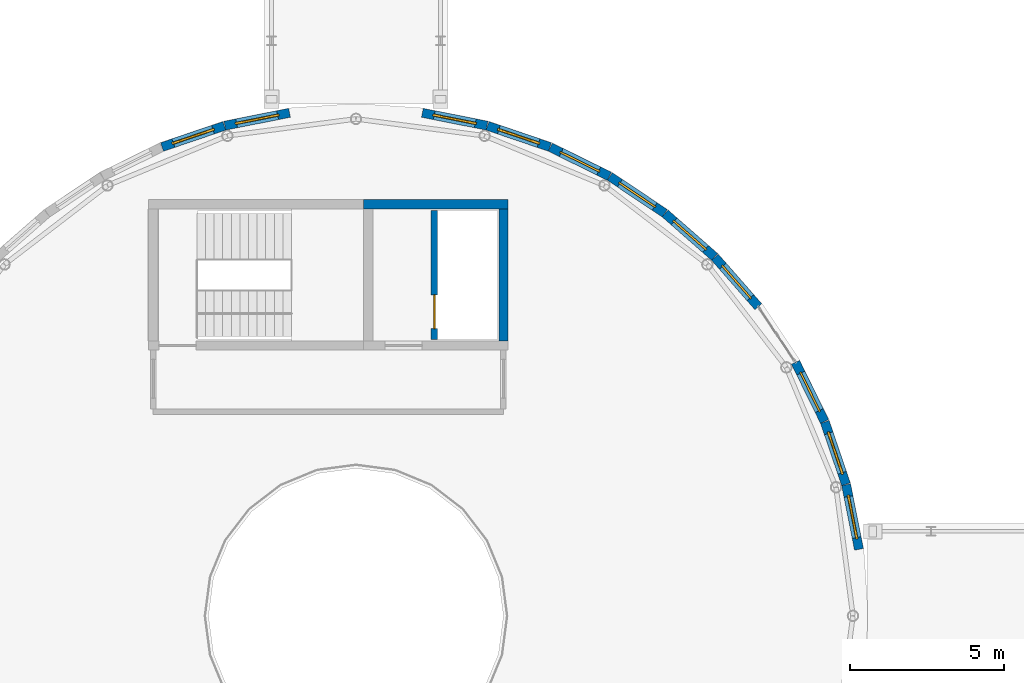
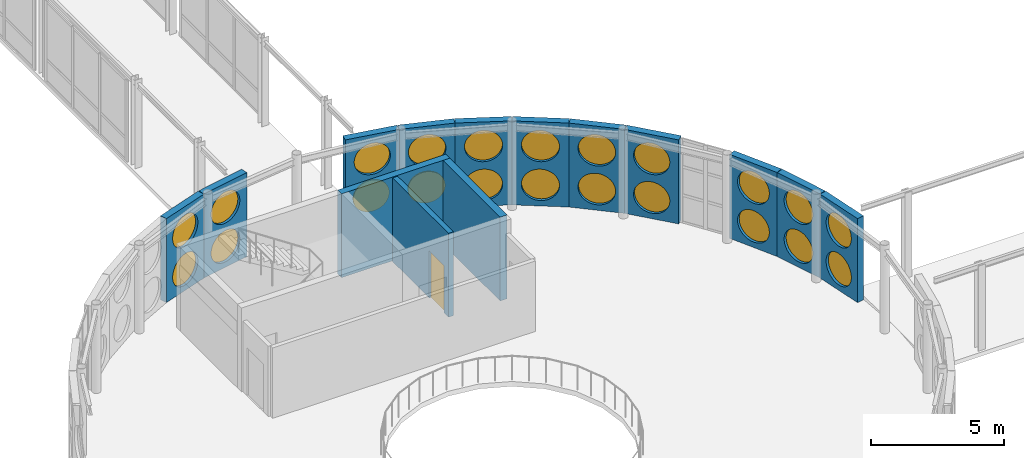
# One storey, part 136 of 165: 22 windows, 14 walls, 1 door, 23 openings.
"""IFC4 building model written with IfcOpenShell, lengths in metres."""

from ifc_helpers import new_model, si_unit, direction, frame, frame_2d, origin, place, context, subcontext, project, spatial, rectangle, circle, extrude, material, layer, layer_set, type_object, element, fill, save


model = new_model("IFC4")

# Units and contexts
model_context = context("Model", 3, precision=1e-05, world=origin(), true_north=direction((0.0, 1.0)))
body_context = subcontext(model_context, "Body", "Model", "MODEL_VIEW")
ifc_project = project(units=[si_unit("LENGTHUNIT", "METRE"), si_unit("AREAUNIT", "SQUARE_METRE"), si_unit("VOLUMEUNIT", "CUBIC_METRE"), si_unit("PLANEANGLEUNIT", "RADIAN"), si_unit("MASSUNIT", "GRAM", prefix="KILO")], contexts=[model_context])

# Site, building, storey
site_placement = place(None, origin())
site = spatial("IfcSite", under=ifc_project, at=site_placement, CompositionType="ELEMENT")
building_placement = place(site_placement, origin())
building = spatial("IfcBuilding", under=site, at=building_placement, Name="Montecoro Central Library", CompositionType="ELEMENT")
storey_placement = place(building_placement, frame((0.0, 0.0, 5.10009765625)))
storey = spatial("IfcBuildingStorey", under=building, at=storey_placement, Name="L01", CompositionType="ELEMENT", Elevation=5.10009765625)

# Wall, openings, windows
ifc_material_1 = material(Name="Travertine Roman Stone and concrete C35/45", Category="masonry")
ifc_layer_1 = layer(ifc_material_1, 0.294921875)
ifc_layer_set_1 = layer_set([ifc_layer_1], Name="Travertine Roman Stone and concrete C35/45")
wall_type_1 = type_object("IfcWallType", Name="EW-DRM-295", PredefinedType="SOLIDWALL", material=ifc_layer_set_1)
wall_1_placement = place(storey_placement, frame((107.97705078125, 37.56396484375, 0.0), z_axis=(0.0, 0.0, 1.0), x_axis=(-0.194846526766, 0.980833742796, 0.0)))
wall_1 = element("IfcWall", 1, at=wall_1_placement, inside=storey, type_object=wall_type_1, Name="V1-L01-EW-02", PredefinedType="SOLIDWALL", context=body_context, shape_type="SweptSolid", body=[
    extrude(rectangle(XDim=2.14501953125, YDim=0.294921875, at=frame_2d((1.072509765625, 0.0))), origin(), (0.0, 0.0, 1.0), 3.85498046875),
])
opening_1_placement = place(wall_1_placement, frame((0.35302734375, 0.0, 0.25)))
opening_1 = element("IfcOpeningElement", 2, at=opening_1_placement, cuts=wall_1, Name="Opening WP-02", PredefinedType="OPENING", context=body_context, shape_type="SweptSolid", body=[
    extrude(circle(Radius=0.719970703125, at=frame_2d((0.719970703125, 0.719970703125))), frame((0.0, 0.157470703125, 0.0), z_axis=(0.0, -1.0, 0.0), x_axis=(1.0, 0.0, 0.0)), (0.0, 0.0, 1.0), 0.31494140625),
])
opening_2_placement = place(wall_1_placement, frame((0.35302734375, 0.0, 2.030029296875)))
opening_2 = element("IfcOpeningElement", 3, at=opening_2_placement, cuts=wall_1, Name="Opening WP-01", PredefinedType="OPENING", context=body_context, shape_type="SweptSolid", body=[
    extrude(circle(Radius=0.719970703125, at=frame_2d((0.719970703125, 0.719970703125))), frame((0.0, 0.157470703125, 0.0), z_axis=(0.0, -1.0, 0.0), x_axis=(1.0, 0.0, 0.0)), (0.0, 0.0, 1.0), 0.31494140625),
])
ifc_material_2 = material(Name="Clear sky-blue low-E laminated glazing", Category="glass")
window_type_1 = type_object("IfcWindowType", Name="WN-POR-CLR-144", PartitioningType="SINGLE_PANEL", PredefinedType="WINDOW", material=ifc_material_2)
window_1_placement = place(opening_2_placement, origin())
window_1 = element("IfcWindow", 4, at=window_1_placement, inside=storey, type_object=window_type_1, Name="V1-L01-WP-02-2", OverallHeight=1.43994140625, OverallWidth=1.43994140625, PartitioningType="SINGLE_PANEL", PredefinedType="WINDOW", context=body_context, shape_type="SweptSolid", body=[
    extrude(circle(Radius=0.719970703125, at=frame_2d((0.719970703125, 0.719970703125))), frame((0.0, 0.030029296875, 0.0), z_axis=(0.0, -1.0, 0.0), x_axis=(1.0, 0.0, 0.0)), (0.0, 0.0, 1.0), 0.06005859375),
])
fill(opening_2, window_1)
ifc_material_3 = material(Name="Frosted pearl-white ceramic-fritted glazing", Category="glass")
window_type_2 = type_object("IfcWindowType", Name="WN-POR-FRT-144", PartitioningType="SINGLE_PANEL", PredefinedType="WINDOW", material=ifc_material_3)
window_2_placement = place(opening_1_placement, origin())
window_2 = element("IfcWindow", 5, at=window_2_placement, inside=storey, type_object=window_type_2, Name="V1-L01-WP-02-1", OverallHeight=1.43994140625, OverallWidth=1.43994140625, PartitioningType="SINGLE_PANEL", PredefinedType="WINDOW", context=body_context, shape_type="SweptSolid", body=[
    extrude(circle(Radius=0.719970703125, at=frame_2d((0.719970703125, 0.719970703125))), frame((0.0, 0.030029296875, 0.0), z_axis=(0.0, -1.0, 0.0), x_axis=(1.0, 0.0, 0.0)), (0.0, 0.0, 1.0), 0.06005859375),
])
fill(opening_1, window_2)

wall_2_placement = place(storey_placement, frame((107.553955078125, 39.68408203125, 0.0), z_axis=(0.0, 0.0, 1.0), x_axis=(-0.321382058047, 0.946949614692, 0.0)))
wall_2 = element("IfcWall", 6, at=wall_2_placement, inside=storey, type_object=wall_type_1, Name="V1-L01-EW-03", PredefinedType="SOLIDWALL", context=body_context, shape_type="SweptSolid", body=[
    extrude(rectangle(XDim=2.143798828125, YDim=0.294921875, at=frame_2d((1.07177734375, 0.0))), origin(), (0.0, 0.0, 1.0), 3.85498046875),
])
opening_3_placement = place(wall_2_placement, frame((0.35205078125, 0.0, 0.25)))
opening_3 = element("IfcOpeningElement", 7, at=opening_3_placement, cuts=wall_2, Name="Opening WP-01", PredefinedType="OPENING", context=body_context, shape_type="SweptSolid", body=[
    extrude(circle(Radius=0.719970703125, at=frame_2d((0.719970703125, 0.719970703125))), frame((0.0, 0.157470703125, 0.0), z_axis=(0.0, -1.0, 0.0), x_axis=(1.0, 0.0, 0.0)), (0.0, 0.0, 1.0), 0.31494140625),
])
opening_4_placement = place(wall_2_placement, frame((0.35205078125, 0.0, 2.030029296875)))
opening_4 = element("IfcOpeningElement", 8, at=opening_4_placement, cuts=wall_2, Name="Opening WP-02", PredefinedType="OPENING", context=body_context, shape_type="SweptSolid", body=[
    extrude(circle(Radius=0.719970703125, at=frame_2d((0.719970703125, 0.719970703125))), frame((0.0, 0.157470703125, 0.0), z_axis=(0.0, -1.0, 0.0), x_axis=(1.0, 0.0, 0.0)), (0.0, 0.0, 1.0), 0.31494140625),
])
window_3_placement = place(opening_3_placement, origin())
window_3 = element("IfcWindow", 9, at=window_3_placement, inside=storey, type_object=window_type_1, Name="V1-L01-WP-03-1", OverallHeight=1.43994140625, OverallWidth=1.43994140625, PartitioningType="SINGLE_PANEL", PredefinedType="WINDOW", context=body_context, shape_type="SweptSolid", body=[
    extrude(circle(Radius=0.719970703125, at=frame_2d((0.719970703125, 0.719970703125))), frame((0.0, 0.030029296875, 0.0), z_axis=(0.0, -1.0, 0.0), x_axis=(1.0, 0.0, 0.0)), (0.0, 0.0, 1.0), 0.06005859375),
])
fill(opening_3, window_3)
window_4_placement = place(opening_4_placement, origin())
window_4 = element("IfcWindow", 10, at=window_4_placement, inside=storey, type_object=window_type_2, Name="V1-L01-WP-03-2", OverallHeight=1.43994140625, OverallWidth=1.43994140625, PartitioningType="SINGLE_PANEL", PredefinedType="WINDOW", context=body_context, shape_type="SweptSolid", body=[
    extrude(circle(Radius=0.719970703125, at=frame_2d((0.719970703125, 0.719970703125))), frame((0.0, 0.030029296875, 0.0), z_axis=(0.0, -1.0, 0.0), x_axis=(1.0, 0.0, 0.0)), (0.0, 0.0, 1.0), 0.06005859375),
])
fill(opening_4, window_4)

wall_3_placement = place(storey_placement, frame((106.85791015625, 41.72900390625, 0.0), z_axis=(0.0, 0.0, 1.0), x_axis=(-0.441603666205, 0.897210232885, 0.0)))
wall_3 = element("IfcWall", 11, at=wall_3_placement, inside=storey, type_object=wall_type_1, Name="V1-L01-EW-04", PredefinedType="SOLIDWALL", context=body_context, shape_type="SweptSolid", body=[
    extrude(rectangle(XDim=2.14453125, YDim=0.294921875, at=frame_2d((1.072265625, 0.0))), origin(), (0.0, 0.0, 1.0), 3.85498046875),
])
opening_5_placement = place(wall_3_placement, frame((0.35205078125, 0.0, 0.25)))
opening_5 = element("IfcOpeningElement", 12, at=opening_5_placement, cuts=wall_3, Name="Opening WP-02", PredefinedType="OPENING", context=body_context, shape_type="SweptSolid", body=[
    extrude(circle(Radius=0.719970703125, at=frame_2d((0.719970703125, 0.719970703125))), frame((0.0, 0.157470703125, 0.0), z_axis=(0.0, -1.0, 0.0), x_axis=(1.0, 0.0, 0.0)), (0.0, 0.0, 1.0), 0.31494140625),
])
opening_6_placement = place(wall_3_placement, frame((0.35205078125, 0.0, 2.030029296875)))
opening_6 = element("IfcOpeningElement", 13, at=opening_6_placement, cuts=wall_3, Name="Opening WP-01", PredefinedType="OPENING", context=body_context, shape_type="SweptSolid", body=[
    extrude(circle(Radius=0.719970703125, at=frame_2d((0.719970703125, 0.719970703125))), frame((0.0, 0.157470703125, 0.0), z_axis=(0.0, -1.0, 0.0), x_axis=(1.0, 0.0, 0.0)), (0.0, 0.0, 1.0), 0.31494140625),
])
window_5_placement = place(opening_6_placement, origin())
window_5 = element("IfcWindow", 14, at=window_5_placement, inside=storey, type_object=window_type_1, Name="V1-L01-WP-04-2", OverallHeight=1.43994140625, OverallWidth=1.43994140625, PartitioningType="SINGLE_PANEL", PredefinedType="WINDOW", context=body_context, shape_type="SweptSolid", body=[
    extrude(circle(Radius=0.719970703125, at=frame_2d((0.719970703125, 0.719970703125))), frame((0.0, 0.030029296875, 0.0), z_axis=(0.0, -1.0, 0.0), x_axis=(1.0, 0.0, 0.0)), (0.0, 0.0, 1.0), 0.06005859375),
])
fill(opening_6, window_5)
window_6_placement = place(opening_5_placement, origin())
window_6 = element("IfcWindow", 15, at=window_6_placement, inside=storey, type_object=window_type_2, Name="V1-L01-WP-04-1", OverallHeight=1.43994140625, OverallWidth=1.43994140625, PartitioningType="SINGLE_PANEL", PredefinedType="WINDOW", context=body_context, shape_type="SweptSolid", body=[
    extrude(circle(Radius=0.719970703125, at=frame_2d((0.719970703125, 0.719970703125))), frame((0.0, 0.030029296875, 0.0), z_axis=(0.0, -1.0, 0.0), x_axis=(1.0, 0.0, 0.0)), (0.0, 0.0, 1.0), 0.06005859375),
])
fill(opening_5, window_6)

wall_4_placement = place(storey_placement, frame((104.700927734375, 45.462890625, 0.0), z_axis=(0.0, 0.0, 1.0), x_axis=(-0.659688303725, 0.751539314958, 0.0)))
wall_4 = element("IfcWall", 16, at=wall_4_placement, inside=storey, type_object=wall_type_1, Name="V1-L01-EW-06", PredefinedType="SOLIDWALL", context=body_context, shape_type="SweptSolid", body=[
    extrude(rectangle(XDim=2.14501953125, YDim=0.294921875, at=frame_2d((1.072509765625, 0.0))), origin(), (0.0, 0.0, 1.0), 3.85498046875),
])
opening_7_placement = place(wall_4_placement, frame((0.35205078125, 0.0, 0.25)))
opening_7 = element("IfcOpeningElement", 17, at=opening_7_placement, cuts=wall_4, Name="Opening WP-02", PredefinedType="OPENING", context=body_context, shape_type="SweptSolid", body=[
    extrude(circle(Radius=0.719970703125, at=frame_2d((0.719970703125, 0.719970703125))), frame((0.0, 0.157470703125, 0.0), z_axis=(0.0, -1.0, 0.0), x_axis=(1.0, 0.0, 0.0)), (0.0, 0.0, 1.0), 0.31494140625),
])
opening_8_placement = place(wall_4_placement, frame((0.35205078125, 0.0, 2.030029296875)))
opening_8 = element("IfcOpeningElement", 18, at=opening_8_placement, cuts=wall_4, Name="Opening WP-01", PredefinedType="OPENING", context=body_context, shape_type="SweptSolid", body=[
    extrude(circle(Radius=0.719970703125, at=frame_2d((0.719970703125, 0.719970703125))), frame((0.0, 0.157470703125, 0.0), z_axis=(0.0, -1.0, 0.0), x_axis=(1.0, 0.0, 0.0)), (0.0, 0.0, 1.0), 0.31494140625),
])
window_7_placement = place(opening_8_placement, origin())
window_7 = element("IfcWindow", 19, at=window_7_placement, inside=storey, type_object=window_type_1, Name="V1-L01-WP-06-2", OverallHeight=1.43994140625, OverallWidth=1.43994140625, PartitioningType="SINGLE_PANEL", PredefinedType="WINDOW", context=body_context, shape_type="SweptSolid", body=[
    extrude(circle(Radius=0.719970703125, at=frame_2d((0.719970703125, 0.719970703125))), frame((0.0, 0.030029296875, 0.0), z_axis=(0.0, -1.0, 0.0), x_axis=(1.0, 0.0, 0.0)), (0.0, 0.0, 1.0), 0.06005859375),
])
fill(opening_8, window_7)
window_8_placement = place(opening_7_placement, origin())
window_8 = element("IfcWindow", 20, at=window_8_placement, inside=storey, type_object=window_type_2, Name="V1-L01-WP-06-1", OverallHeight=1.43994140625, OverallWidth=1.43994140625, PartitioningType="SINGLE_PANEL", PredefinedType="WINDOW", context=body_context, shape_type="SweptSolid", body=[
    extrude(circle(Radius=0.719970703125, at=frame_2d((0.719970703125, 0.719970703125))), frame((0.0, 0.030029296875, 0.0), z_axis=(0.0, -1.0, 0.0), x_axis=(1.0, 0.0, 0.0)), (0.0, 0.0, 1.0), 0.06005859375),
])
fill(opening_7, window_8)

wall_5_placement = place(storey_placement, frame((103.27490234375, 47.0859375, 0.0), z_axis=(0.0, 0.0, 1.0), x_axis=(-0.751489776362, 0.659744735503, 0.0)))
wall_5 = element("IfcWall", 21, at=wall_5_placement, inside=storey, type_object=wall_type_1, Name="V1-L01-EW-07", PredefinedType="SOLIDWALL", context=body_context, shape_type="SweptSolid", body=[
    extrude(rectangle(XDim=2.144775390625, YDim=0.294921875, at=frame_2d((1.072265625, 0.0))), origin(), (0.0, 0.0, 1.0), 3.85498046875),
])
opening_9_placement = place(wall_5_placement, frame((0.35205078125, 0.0, 0.25)))
opening_9 = element("IfcOpeningElement", 22, at=opening_9_placement, cuts=wall_5, Name="Opening WP-01", PredefinedType="OPENING", context=body_context, shape_type="SweptSolid", body=[
    extrude(circle(Radius=0.719970703125, at=frame_2d((0.719970703125, 0.719970703125))), frame((0.0, 0.157470703125, 0.0), z_axis=(0.0, -1.0, 0.0), x_axis=(1.0, 0.0, 0.0)), (0.0, 0.0, 1.0), 0.31494140625),
])
opening_10_placement = place(wall_5_placement, frame((0.35205078125, 0.0, 2.030029296875)))
opening_10 = element("IfcOpeningElement", 23, at=opening_10_placement, cuts=wall_5, Name="Opening WP-02", PredefinedType="OPENING", context=body_context, shape_type="SweptSolid", body=[
    extrude(circle(Radius=0.719970703125, at=frame_2d((0.719970703125, 0.719970703125))), frame((0.0, 0.157470703125, 0.0), z_axis=(0.0, -1.0, 0.0), x_axis=(1.0, 0.0, 0.0)), (0.0, 0.0, 1.0), 0.31494140625),
])
window_9_placement = place(opening_9_placement, origin())
window_9 = element("IfcWindow", 24, at=window_9_placement, inside=storey, type_object=window_type_1, Name="V1-L01-WP-07-1", OverallHeight=1.43994140625, OverallWidth=1.43994140625, PartitioningType="SINGLE_PANEL", PredefinedType="WINDOW", context=body_context, shape_type="SweptSolid", body=[
    extrude(circle(Radius=0.719970703125, at=frame_2d((0.719970703125, 0.719970703125))), frame((0.0, 0.030029296875, 0.0), z_axis=(0.0, -1.0, 0.0), x_axis=(1.0, 0.0, 0.0)), (0.0, 0.0, 1.0), 0.06005859375),
])
fill(opening_9, window_9)
window_10_placement = place(opening_10_placement, origin())
window_10 = element("IfcWindow", 25, at=window_10_placement, inside=storey, type_object=window_type_2, Name="V1-L01-WP-07-2", OverallHeight=1.43994140625, OverallWidth=1.43994140625, PartitioningType="SINGLE_PANEL", PredefinedType="WINDOW", context=body_context, shape_type="SweptSolid", body=[
    extrude(circle(Radius=0.719970703125, at=frame_2d((0.719970703125, 0.719970703125))), frame((0.0, 0.030029296875, 0.0), z_axis=(0.0, -1.0, 0.0), x_axis=(1.0, 0.0, 0.0)), (0.0, 0.0, 1.0), 0.06005859375),
])
fill(opening_10, window_10)

wall_6_placement = place(storey_placement, frame((101.64990234375, 48.510009765625, 0.0), z_axis=(0.0, 0.0, 1.0), x_axis=(-0.831138710759, 0.556065143197, 0.0)))
wall_6 = element("IfcWall", 26, at=wall_6_placement, inside=storey, type_object=wall_type_1, Name="V1-L01-EW-08", PredefinedType="SOLIDWALL", context=body_context, shape_type="SweptSolid", body=[
    extrude(rectangle(XDim=2.145263671875, YDim=0.294921875, at=frame_2d((1.07275390625, 0.0))), origin(), (0.0, 0.0, 1.0), 3.85498046875),
])
opening_11_placement = place(wall_6_placement, frame((0.35302734375, 0.0, 0.25)))
opening_11 = element("IfcOpeningElement", 27, at=opening_11_placement, cuts=wall_6, Name="Opening WP-02", PredefinedType="OPENING", context=body_context, shape_type="SweptSolid", body=[
    extrude(circle(Radius=0.719970703125, at=frame_2d((0.719970703125, 0.719970703125))), frame((0.0, 0.157470703125, 0.0), z_axis=(0.0, -1.0, 0.0), x_axis=(1.0, 0.0, 0.0)), (0.0, 0.0, 1.0), 0.31494140625),
])
opening_12_placement = place(wall_6_placement, frame((0.35302734375, 0.0, 2.030029296875)))
opening_12 = element("IfcOpeningElement", 28, at=opening_12_placement, cuts=wall_6, Name="Opening WP-01", PredefinedType="OPENING", context=body_context, shape_type="SweptSolid", body=[
    extrude(circle(Radius=0.719970703125, at=frame_2d((0.719970703125, 0.719970703125))), frame((0.0, 0.157470703125, 0.0), z_axis=(0.0, -1.0, 0.0), x_axis=(1.0, 0.0, 0.0)), (0.0, 0.0, 1.0), 0.31494140625),
])
window_11_placement = place(opening_12_placement, origin())
window_11 = element("IfcWindow", 29, at=window_11_placement, inside=storey, type_object=window_type_1, Name="V1-L01-WP-08-2", OverallHeight=1.43994140625, OverallWidth=1.43994140625, PartitioningType="SINGLE_PANEL", PredefinedType="WINDOW", context=body_context, shape_type="SweptSolid", body=[
    extrude(circle(Radius=0.719970703125, at=frame_2d((0.719970703125, 0.719970703125))), frame((0.0, 0.030029296875, 0.0), z_axis=(0.0, -1.0, 0.0), x_axis=(1.0, 0.0, 0.0)), (0.0, 0.0, 1.0), 0.06005859375),
])
fill(opening_12, window_11)
window_12_placement = place(opening_11_placement, origin())
window_12 = element("IfcWindow", 30, at=window_12_placement, inside=storey, type_object=window_type_2, Name="V1-L01-WP-08-1", OverallHeight=1.43994140625, OverallWidth=1.43994140625, PartitioningType="SINGLE_PANEL", PredefinedType="WINDOW", context=body_context, shape_type="SweptSolid", body=[
    extrude(circle(Radius=0.719970703125, at=frame_2d((0.719970703125, 0.719970703125))), frame((0.0, 0.030029296875, 0.0), z_axis=(0.0, -1.0, 0.0), x_axis=(1.0, 0.0, 0.0)), (0.0, 0.0, 1.0), 0.06005859375),
])
fill(opening_11, window_12)

wall_7_placement = place(storey_placement, frame((99.85302734375, 49.7109375, 0.0), z_axis=(0.0, 0.0, 1.0), x_axis=(-0.897210232885, 0.441603666205, 0.0)))
wall_7 = element("IfcWall", 31, at=wall_7_placement, inside=storey, type_object=wall_type_1, Name="V1-L01-EW-09", PredefinedType="SOLIDWALL", context=body_context, shape_type="SweptSolid", body=[
    extrude(rectangle(XDim=2.14453125, YDim=0.294921875, at=frame_2d((1.072265625, 0.0))), origin(), (0.0, 0.0, 1.0), 3.85498046875),
])
opening_13_placement = place(wall_7_placement, frame((0.35205078125, 0.0, 0.25)))
opening_13 = element("IfcOpeningElement", 32, at=opening_13_placement, cuts=wall_7, Name="Opening WP-01", PredefinedType="OPENING", context=body_context, shape_type="SweptSolid", body=[
    extrude(circle(Radius=0.719970703125, at=frame_2d((0.719970703125, 0.719970703125))), frame((0.0, 0.157470703125, 0.0), z_axis=(0.0, -1.0, 0.0), x_axis=(1.0, 0.0, 0.0)), (0.0, 0.0, 1.0), 0.31494140625),
])
opening_14_placement = place(wall_7_placement, frame((0.35205078125, 0.0, 2.030029296875)))
opening_14 = element("IfcOpeningElement", 33, at=opening_14_placement, cuts=wall_7, Name="Opening WP-02", PredefinedType="OPENING", context=body_context, shape_type="SweptSolid", body=[
    extrude(circle(Radius=0.719970703125, at=frame_2d((0.719970703125, 0.719970703125))), frame((0.0, 0.157470703125, 0.0), z_axis=(0.0, -1.0, 0.0), x_axis=(1.0, 0.0, 0.0)), (0.0, 0.0, 1.0), 0.31494140625),
])
window_13_placement = place(opening_13_placement, origin())
window_13 = element("IfcWindow", 34, at=window_13_placement, inside=storey, type_object=window_type_1, Name="V1-L01-WP-09-1", OverallHeight=1.43994140625, OverallWidth=1.43994140625, PartitioningType="SINGLE_PANEL", PredefinedType="WINDOW", context=body_context, shape_type="SweptSolid", body=[
    extrude(circle(Radius=0.719970703125, at=frame_2d((0.719970703125, 0.719970703125))), frame((0.0, 0.030029296875, 0.0), z_axis=(0.0, -1.0, 0.0), x_axis=(1.0, 0.0, 0.0)), (0.0, 0.0, 1.0), 0.06005859375),
])
fill(opening_13, window_13)
window_14_placement = place(opening_14_placement, origin())
window_14 = element("IfcWindow", 35, at=window_14_placement, inside=storey, type_object=window_type_2, Name="V1-L01-WP-09-2", OverallHeight=1.43994140625, OverallWidth=1.43994140625, PartitioningType="SINGLE_PANEL", PredefinedType="WINDOW", context=body_context, shape_type="SweptSolid", body=[
    extrude(circle(Radius=0.719970703125, at=frame_2d((0.719970703125, 0.719970703125))), frame((0.0, 0.030029296875, 0.0), z_axis=(0.0, -1.0, 0.0), x_axis=(1.0, 0.0, 0.0)), (0.0, 0.0, 1.0), 0.06005859375),
])
fill(opening_14, window_14)

wall_8_placement = place(storey_placement, frame((97.9140625, 50.6650390625, 0.0), z_axis=(0.0, 0.0, 1.0), x_axis=(-0.946949614692, 0.321382058047, 0.0)))
wall_8 = element("IfcWall", 36, at=wall_8_placement, inside=storey, type_object=wall_type_1, Name="V1-L01-EW-10", PredefinedType="SOLIDWALL", context=body_context, shape_type="SweptSolid", body=[
    extrude(rectangle(XDim=2.143798828125, YDim=0.294921875, at=frame_2d((1.07177734375, 0.0))), origin(), (0.0, 0.0, 1.0), 3.85498046875),
])
opening_15_placement = place(wall_8_placement, frame((0.35205078125, 0.0, 0.25)))
opening_15 = element("IfcOpeningElement", 37, at=opening_15_placement, cuts=wall_8, Name="Opening WP-02", PredefinedType="OPENING", context=body_context, shape_type="SweptSolid", body=[
    extrude(circle(Radius=0.719970703125, at=frame_2d((0.719970703125, 0.719970703125))), frame((0.0, 0.157470703125, 0.0), z_axis=(0.0, -1.0, 0.0), x_axis=(1.0, 0.0, 0.0)), (0.0, 0.0, 1.0), 0.31494140625),
])
opening_16_placement = place(wall_8_placement, frame((0.35205078125, 0.0, 2.030029296875)))
opening_16 = element("IfcOpeningElement", 38, at=opening_16_placement, cuts=wall_8, Name="Opening WP-01", PredefinedType="OPENING", context=body_context, shape_type="SweptSolid", body=[
    extrude(circle(Radius=0.719970703125, at=frame_2d((0.719970703125, 0.719970703125))), frame((0.0, 0.157470703125, 0.0), z_axis=(0.0, -1.0, 0.0), x_axis=(1.0, 0.0, 0.0)), (0.0, 0.0, 1.0), 0.31494140625),
])
window_15_placement = place(opening_16_placement, origin())
window_15 = element("IfcWindow", 39, at=window_15_placement, inside=storey, type_object=window_type_1, Name="V1-L01-WP-10-2", OverallHeight=1.43994140625, OverallWidth=1.43994140625, PartitioningType="SINGLE_PANEL", PredefinedType="WINDOW", context=body_context, shape_type="SweptSolid", body=[
    extrude(circle(Radius=0.719970703125, at=frame_2d((0.719970703125, 0.719970703125))), frame((0.0, 0.030029296875, 0.0), z_axis=(0.0, -1.0, 0.0), x_axis=(1.0, 0.0, 0.0)), (0.0, 0.0, 1.0), 0.06005859375),
])
fill(opening_16, window_15)
window_16_placement = place(opening_15_placement, origin())
window_16 = element("IfcWindow", 40, at=window_16_placement, inside=storey, type_object=window_type_2, Name="V1-L01-WP-10-1", OverallHeight=1.43994140625, OverallWidth=1.43994140625, PartitioningType="SINGLE_PANEL", PredefinedType="WINDOW", context=body_context, shape_type="SweptSolid", body=[
    extrude(circle(Radius=0.719970703125, at=frame_2d((0.719970703125, 0.719970703125))), frame((0.0, 0.030029296875, 0.0), z_axis=(0.0, -1.0, 0.0), x_axis=(1.0, 0.0, 0.0)), (0.0, 0.0, 1.0), 0.06005859375),
])
fill(opening_15, window_16)

wall_9_placement = place(storey_placement, frame((95.867919921875, 51.35888671875, 0.0), z_axis=(0.0, 0.0, 1.0), x_axis=(-0.98081198628, 0.194956014446, 0.0)))
wall_9 = element("IfcWall", 41, at=wall_9_placement, inside=storey, type_object=wall_type_1, Name="V1-L01-EW-11", PredefinedType="SOLIDWALL", context=body_context, shape_type="SweptSolid", body=[
    extrude(rectangle(XDim=2.145263671875, YDim=0.294921875, at=frame_2d((1.07275390625, 0.0))), origin(), (0.0, 0.0, 1.0), 3.85498046875),
])
opening_17_placement = place(wall_9_placement, frame((0.35302734375, 0.0, 0.25)))
opening_17 = element("IfcOpeningElement", 42, at=opening_17_placement, cuts=wall_9, Name="Opening WP-01", PredefinedType="OPENING", context=body_context, shape_type="SweptSolid", body=[
    extrude(circle(Radius=0.719970703125, at=frame_2d((0.719970703125, 0.719970703125))), frame((0.0, 0.157470703125, 0.0), z_axis=(0.0, -1.0, 0.0), x_axis=(1.0, 0.0, 0.0)), (0.0, 0.0, 1.0), 0.31494140625),
])
opening_18_placement = place(wall_9_placement, frame((0.35302734375, 0.0, 2.030029296875)))
opening_18 = element("IfcOpeningElement", 43, at=opening_18_placement, cuts=wall_9, Name="Opening WP-02", PredefinedType="OPENING", context=body_context, shape_type="SweptSolid", body=[
    extrude(circle(Radius=0.719970703125, at=frame_2d((0.719970703125, 0.719970703125))), frame((0.0, 0.157470703125, 0.0), z_axis=(0.0, -1.0, 0.0), x_axis=(1.0, 0.0, 0.0)), (0.0, 0.0, 1.0), 0.31494140625),
])
window_17_placement = place(opening_17_placement, origin())
window_17 = element("IfcWindow", 44, at=window_17_placement, inside=storey, type_object=window_type_1, Name="V1-L01-WP-11-1", OverallHeight=1.43994140625, OverallWidth=1.43994140625, PartitioningType="SINGLE_PANEL", PredefinedType="WINDOW", context=body_context, shape_type="SweptSolid", body=[
    extrude(circle(Radius=0.719970703125, at=frame_2d((0.719970703125, 0.719970703125))), frame((0.0, 0.030029296875, 0.0), z_axis=(0.0, -1.0, 0.0), x_axis=(1.0, 0.0, 0.0)), (0.0, 0.0, 1.0), 0.06005859375),
])
fill(opening_17, window_17)
window_18_placement = place(opening_18_placement, origin())
window_18 = element("IfcWindow", 45, at=window_18_placement, inside=storey, type_object=window_type_2, Name="V1-L01-WP-11-2", OverallHeight=1.43994140625, OverallWidth=1.43994140625, PartitioningType="SINGLE_PANEL", PredefinedType="WINDOW", context=body_context, shape_type="SweptSolid", body=[
    extrude(circle(Radius=0.719970703125, at=frame_2d((0.719970703125, 0.719970703125))), frame((0.0, 0.030029296875, 0.0), z_axis=(0.0, -1.0, 0.0), x_axis=(1.0, 0.0, 0.0)), (0.0, 0.0, 1.0), 0.06005859375),
])
fill(opening_18, window_18)

wall_10_placement = place(storey_placement, frame((89.43603515625, 51.777099609375, 0.0), z_axis=(0.0, 0.0, 1.0), x_axis=(-0.98081198628, -0.194956014446, 0.0)))
wall_10 = element("IfcWall", 46, at=wall_10_placement, inside=storey, type_object=wall_type_1, Name="V1-L01-EW-14", PredefinedType="SOLIDWALL", context=body_context, shape_type="SweptSolid", body=[
    extrude(rectangle(XDim=2.145263671875, YDim=0.294921875, at=frame_2d((1.07275390625, 0.0))), origin(), (0.0, 0.0, 1.0), 3.85498046875),
])
opening_19_placement = place(wall_10_placement, frame((0.35302734375, 0.0, 0.25)))
opening_19 = element("IfcOpeningElement", 47, at=opening_19_placement, cuts=wall_10, Name="Opening WP-02", PredefinedType="OPENING", context=body_context, shape_type="SweptSolid", body=[
    extrude(circle(Radius=0.719970703125, at=frame_2d((0.719970703125, 0.719970703125))), frame((0.0, 0.157470703125, 0.0), z_axis=(0.0, -1.0, 0.0), x_axis=(1.0, 0.0, 0.0)), (0.0, 0.0, 1.0), 0.31494140625),
])
opening_20_placement = place(wall_10_placement, frame((0.35302734375, 0.0, 2.030029296875)))
opening_20 = element("IfcOpeningElement", 48, at=opening_20_placement, cuts=wall_10, Name="Opening WP-01", PredefinedType="OPENING", context=body_context, shape_type="SweptSolid", body=[
    extrude(circle(Radius=0.719970703125, at=frame_2d((0.719970703125, 0.719970703125))), frame((0.0, 0.157470703125, 0.0), z_axis=(0.0, -1.0, 0.0), x_axis=(1.0, 0.0, 0.0)), (0.0, 0.0, 1.0), 0.31494140625),
])
window_19_placement = place(opening_20_placement, origin())
window_19 = element("IfcWindow", 49, at=window_19_placement, inside=storey, type_object=window_type_1, Name="V1-L01-WP-14-2", OverallHeight=1.43994140625, OverallWidth=1.43994140625, PartitioningType="SINGLE_PANEL", PredefinedType="WINDOW", context=body_context, shape_type="SweptSolid", body=[
    extrude(circle(Radius=0.719970703125, at=frame_2d((0.719970703125, 0.719970703125))), frame((0.0, 0.030029296875, 0.0), z_axis=(0.0, -1.0, 0.0), x_axis=(1.0, 0.0, 0.0)), (0.0, 0.0, 1.0), 0.06005859375),
])
fill(opening_20, window_19)
window_20_placement = place(opening_19_placement, origin())
window_20 = element("IfcWindow", 50, at=window_20_placement, inside=storey, type_object=window_type_2, Name="V1-L01-WP-14-1", OverallHeight=1.43994140625, OverallWidth=1.43994140625, PartitioningType="SINGLE_PANEL", PredefinedType="WINDOW", context=body_context, shape_type="SweptSolid", body=[
    extrude(circle(Radius=0.719970703125, at=frame_2d((0.719970703125, 0.719970703125))), frame((0.0, 0.030029296875, 0.0), z_axis=(0.0, -1.0, 0.0), x_axis=(1.0, 0.0, 0.0)), (0.0, 0.0, 1.0), 0.06005859375),
])
fill(opening_19, window_20)

wall_11_placement = place(storey_placement, frame((87.31591796875, 51.35400390625, 0.0), z_axis=(0.0, 0.0, 1.0), x_axis=(-0.946949614692, -0.321382058047, 0.0)))
wall_11 = element("IfcWall", 51, at=wall_11_placement, inside=storey, type_object=wall_type_1, Name="V1-L01-EW-15", PredefinedType="SOLIDWALL", context=body_context, shape_type="SweptSolid", body=[
    extrude(rectangle(XDim=2.143798828125, YDim=0.294921875, at=frame_2d((1.07177734375, 0.0))), origin(), (0.0, 0.0, 1.0), 3.85498046875),
])
opening_21_placement = place(wall_11_placement, frame((0.35205078125, 0.0, 0.25)))
opening_21 = element("IfcOpeningElement", 52, at=opening_21_placement, cuts=wall_11, Name="Opening WP-01", PredefinedType="OPENING", context=body_context, shape_type="SweptSolid", body=[
    extrude(circle(Radius=0.719970703125, at=frame_2d((0.719970703125, 0.719970703125))), frame((0.0, 0.157470703125, 0.0), z_axis=(0.0, -1.0, 0.0), x_axis=(1.0, 0.0, 0.0)), (0.0, 0.0, 1.0), 0.31494140625),
])
opening_22_placement = place(wall_11_placement, frame((0.35205078125, 0.0, 2.030029296875)))
opening_22 = element("IfcOpeningElement", 53, at=opening_22_placement, cuts=wall_11, Name="Opening WP-02", PredefinedType="OPENING", context=body_context, shape_type="SweptSolid", body=[
    extrude(circle(Radius=0.719970703125, at=frame_2d((0.719970703125, 0.719970703125))), frame((0.0, 0.157470703125, 0.0), z_axis=(0.0, -1.0, 0.0), x_axis=(1.0, 0.0, 0.0)), (0.0, 0.0, 1.0), 0.31494140625),
])
window_21_placement = place(opening_21_placement, origin())
window_21 = element("IfcWindow", 54, at=window_21_placement, inside=storey, type_object=window_type_1, Name="V1-L01-WP-15-1", OverallHeight=1.43994140625, OverallWidth=1.43994140625, PartitioningType="SINGLE_PANEL", PredefinedType="WINDOW", context=body_context, shape_type="SweptSolid", body=[
    extrude(circle(Radius=0.719970703125, at=frame_2d((0.719970703125, 0.719970703125))), frame((0.0, 0.030029296875, 0.0), z_axis=(0.0, -1.0, 0.0), x_axis=(1.0, 0.0, 0.0)), (0.0, 0.0, 1.0), 0.06005859375),
])
fill(opening_21, window_21)
window_22_placement = place(opening_22_placement, origin())
window_22 = element("IfcWindow", 55, at=window_22_placement, inside=storey, type_object=window_type_2, Name="V1-L01-WP-15-2", OverallHeight=1.43994140625, OverallWidth=1.43994140625, PartitioningType="SINGLE_PANEL", PredefinedType="WINDOW", context=body_context, shape_type="SweptSolid", body=[
    extrude(circle(Radius=0.719970703125, at=frame_2d((0.719970703125, 0.719970703125))), frame((0.0, 0.030029296875, 0.0), z_axis=(0.0, -1.0, 0.0), x_axis=(1.0, 0.0, 0.0)), (0.0, 0.0, 1.0), 0.06005859375),
])
fill(opening_22, window_22)

# Wall, opening, door
ifc_material_4 = material(Name="Concrete C32/40", Category="concrete")
ifc_layer_2 = layer(ifc_material_4, 0.219970703125)
ifc_layer_set_2 = layer_set([ifc_layer_2], Name="Concrete C32/40")
wall_type_2 = type_object("IfcWallType", Name="IW-FFL-220", PredefinedType="SOLIDWALL", material=ifc_layer_set_2)
wall_12_placement = place(storey_placement, frame((94.14990234375, 44.39990234375, 0.0), z_axis=(0.0, 0.0, 1.0), x_axis=(0.0, 1.0, 0.0)))
wall_12 = element("IfcWall", 56, at=wall_12_placement, inside=storey, type_object=wall_type_2, Name="C1-L01-WLSH", PredefinedType="SOLIDWALL", context=body_context, shape_type="SweptSolid", body=[
    extrude(rectangle(XDim=4.2001953125, YDim=0.219970703125, at=frame_2d((2.10009765625, 0.0))), origin(), (0.0, 0.0, 1.0), 3.844970703125),
])
opening_23_placement = place(wall_12_placement, frame((0.35009765625, 0.0, 0.0)))
opening_23 = element("IfcOpeningElement", 57, at=opening_23_placement, cuts=wall_12, Name="Opening LD-01", PredefinedType="OPENING", context=body_context, shape_type="SweptSolid", body=[
    extrude(rectangle(XDim=1.10009765625, YDim=2.14990234375, at=frame_2d((0.550048828125, 1.074951171875))), frame((0.0, 0.119873046875, 0.0), z_axis=(0.0, -1.0, 0.0), x_axis=(1.0, 0.0, 0.0)), (0.0, 0.0, 1.0), 0.239990234375),
])
ifc_material_5 = material(Name="Solid oak and fire-rated steel door", Category="steel")
door_type = type_object("IfcDoorType", Name="LD-LIFT-110", OperationType="NOTDEFINED", PredefinedType="DOOR", material=ifc_material_5)
door_placement = place(opening_23_placement, origin())
door = element("IfcDoor", 58, at=door_placement, inside=storey, type_object=door_type, Name="C1-L01-LD-PL-01", OperationType="SLIDING_TO_LEFT", OverallHeight=2.14990234375, OverallWidth=1.10009765625, PredefinedType="DOOR", context=body_context, shape_type="SweptSolid", body=[
    extrude(rectangle(XDim=1.10009765625, YDim=2.14990234375, at=frame_2d((0.550048828125, 1.074951171875))), frame((0.0, 0.02490234375, 0.0), z_axis=(0.0, -1.0, 0.0), x_axis=(1.0, 0.0, 0.0)), (0.0, 0.0, 1.0), 0.050048828125),
])
fill(opening_23, door)

# Walls
ifc_material_6 = material(Name="Concrete C35/45", Category="concrete")
ifc_layer_3 = layer(ifc_material_6, 0.300048828125)
ifc_layer_set_3 = layer_set([ifc_layer_3], Name="Concrete C35/45")
wall_type_3 = type_object("IfcWallType", Name="IW-SHR-300", PredefinedType="SHEAR", material=ifc_layer_set_3)
wall_13_placement = place(storey_placement, frame((96.550048828125, 48.800048828125, 0.0), z_axis=(0.0, 0.0, 1.0), x_axis=(-1.0, 0.0, 0.0)))
element("IfcWall", 59, at=wall_13_placement, inside=storey, type_object=wall_type_3, Name="C1-L01-LWN", PredefinedType="SHEAR", context=body_context, shape_type="SweptSolid", body=[
    extrude(rectangle(XDim=4.699951171875, YDim=0.300048828125, at=frame_2d((2.35009765625, 0.0))), origin(), (0.0, 0.0, 1.0), 3.844970703125),
])
wall_14_placement = place(storey_placement, frame((96.39990234375, 44.35009765625, 0.0), z_axis=(0.0, 0.0, 1.0), x_axis=(0.0, 1.0, 0.0)))
element("IfcWall", 60, at=wall_14_placement, inside=storey, type_object=wall_type_3, Name="C1-L01-LWE", PredefinedType="SHEAR", context=body_context, shape_type="SweptSolid", body=[
    extrude(rectangle(XDim=4.2998046875, YDim=0.300048828125, at=frame_2d((2.14990234375, 0.0))), origin(), (0.0, 0.0, 1.0), 3.844970703125),
])

save(model, "model.ifc")
